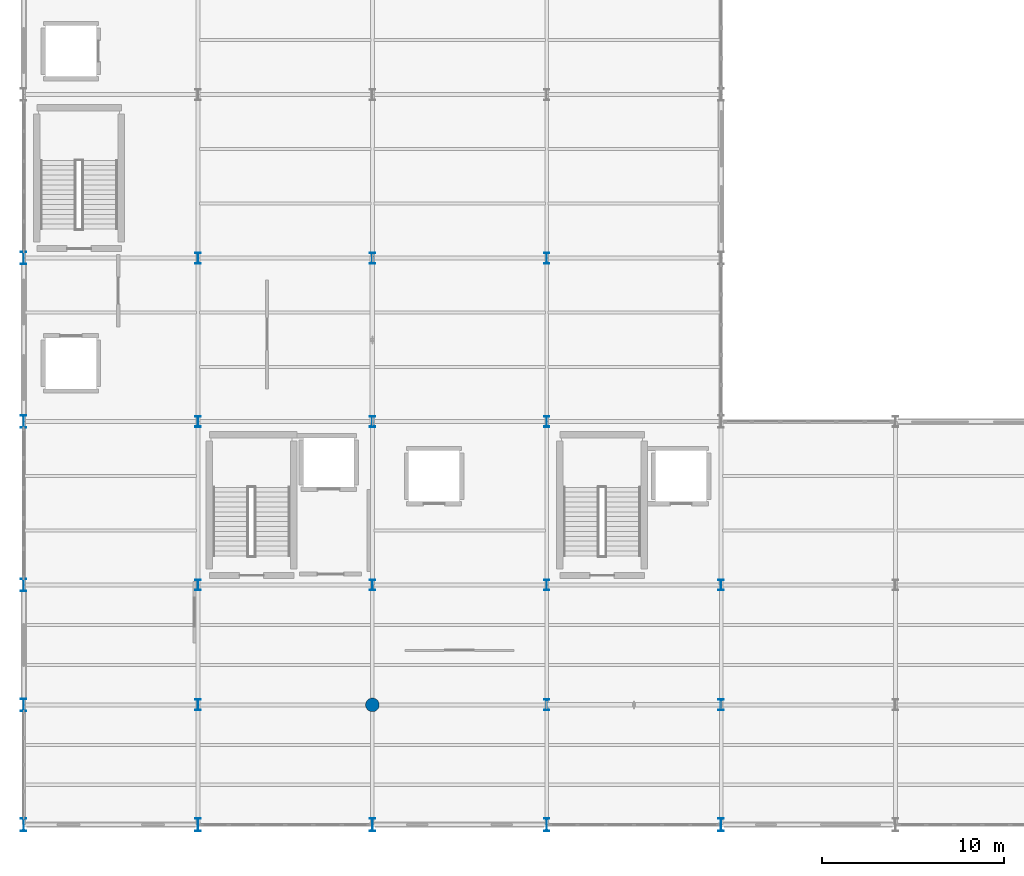
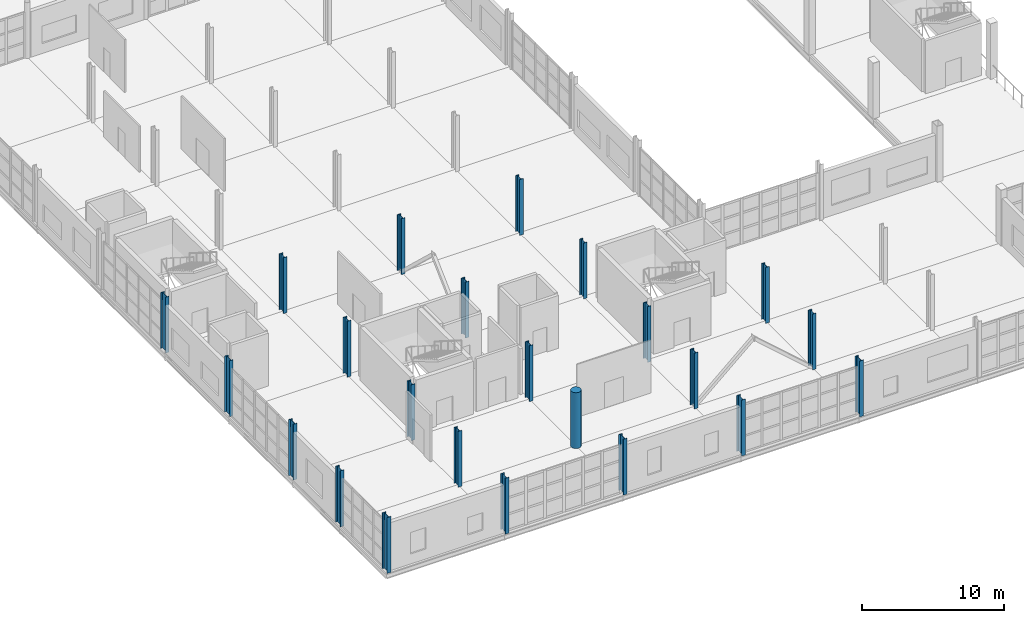
# One storey, part 1 of 120: 23 columns.
"""IFC4 building model written with IfcOpenShell, lengths in metres."""

from ifc_helpers import new_model, si_unit, direction, frame, origin, origin_2d, place, context, subcontext, project, spatial, circle, i_section, extrude, material, material_profile, profile_set, type_object, element, save


model = new_model("IFC4")

# Units and contexts
model_context = context("Model", 3, precision=1e-05, world=origin(), true_north=direction((0.0, 1.0)))
body_context = subcontext(model_context, "Body", "Model", "MODEL_VIEW")
ifc_project = project(units=[si_unit("LENGTHUNIT", "METRE"), si_unit("AREAUNIT", "SQUARE_METRE"), si_unit("VOLUMEUNIT", "CUBIC_METRE"), si_unit("PLANEANGLEUNIT", "RADIAN"), si_unit("MASSUNIT", "GRAM", prefix="KILO")], contexts=[model_context])

# Site, building, storey
site_placement = place(None, origin())
site = spatial("IfcSite", under=ifc_project, at=site_placement, CompositionType="ELEMENT")
building_placement = place(site_placement, origin())
building = spatial("IfcBuilding", under=site, at=building_placement, Name="Zarnetskaya Central Station", CompositionType="ELEMENT")
storey_placement = place(building_placement, frame((0.0, 0.0, 5.39990234375)))
storey = spatial("IfcBuildingStorey", under=building, at=storey_placement, Name="L01", CompositionType="ELEMENT", Elevation=5.39990234375)

# Columns
ifc_material_1 = material(Name="Concrete C35/45", Category="concrete")
ifc_material_profile_1 = material_profile(ifc_material_1, circle(Radius=0.375, at=origin_2d()), Name="RC COL D750")
ifc_profile_set_1 = profile_set([ifc_material_profile_1], Name="Concrete C35/45")
column_type_1 = type_object("IfcColumnType", Name="COL-RC-CONC", PredefinedType="COLUMN", material=ifc_profile_set_1)
column_placement = place(storey_placement, frame((19.199951171875, 6.60009765625, 0.0), z_axis=(0.0, 0.0, 1.0), x_axis=(1.0, 0.0, 0.0)))
element("IfcColumn", 1, at=column_placement, inside=storey, type_object=column_type_1, Name="Column C2 L01", PredefinedType="COLUMN", context=body_context, shape_type="SweptSolid", body=[
    extrude(circle(Radius=0.375, at=origin_2d()), origin(), (0.0, 0.0, 1.0), 4.800048828125),
])
ifc_material_2 = material(Name="Steel S355", Category="steel")
ifc_material_profile_2 = material_profile(ifc_material_2, i_section(OverallWidth=0.300048828125, OverallDepth=0.699951171875, WebThickness=0.01708984375, FlangeThickness=0.031982421875, FilletRadius=0.027099609375, at=origin_2d()), Name="HEB 700")
ifc_profile_set_2 = profile_set([ifc_material_profile_2], Name="Steel S355")
column_type_2 = type_object("IfcColumnType", Name="COL-V5-LOW-E", PredefinedType="COLUMN", material=ifc_profile_set_2)
for number, where, z_axis, x_axis, name in (
    (2, (0.0, 0.0, 0.0), (0.0, 0.0, 1.0), (1.0, 0.0, 0.0), "Column A1 L01"),
    (3, (0.0, 6.60009765625, 0.0), (0.0, 0.0, 1.0), (1.0, 0.0, 0.0), "Column A2 L01"),
    (4, (0.0, 13.199951171875, 0.0), (0.0, 0.0, 1.0), (1.0, 0.0, 0.0), "Column A3 L01"),
    (5, (0.0, 22.199951171875, 0.0), (0.0, 0.0, 1.0), (1.0, 0.0, 0.0), "Column A4 L01"),
    (6, (0.0, 31.199951171875, 0.0), (0.0, 0.0, 1.0), (1.0, 0.0, 0.0), "Column A5 L01"),
    (7, (9.60009765625, 0.0, 0.0), (0.0, 0.0, 1.0), (1.0, 0.0, 0.0), "Column B1 L01"),
    (8, (19.199951171875, 0.0, 0.0), (0.0, 0.0, 1.0), (1.0, 0.0, 0.0), "Column C1 L01"),
    (9, (28.800048828125, 0.0, 0.0), (0.0, 0.0, 1.0), (1.0, 0.0, 0.0), "Column D1 L01"),
    (10, (38.39990234375, 0.0, 0.0), (0.0, 0.0, 1.0), (1.0, 0.0, 0.0), "Column E1 L01"),
):
    element("IfcColumn", number, at=place(storey_placement, frame(where, z_axis=z_axis, x_axis=x_axis)), inside=storey, type_object=column_type_2, Name=name, PredefinedType="COLUMN", context=body_context, shape_type="SweptSolid", body=[
        extrude(i_section(OverallWidth=0.300048828125, OverallDepth=0.699951171875, WebThickness=0.01708984375, FlangeThickness=0.031982421875, FilletRadius=0.027099609375, at=origin_2d()), origin(), (0.0, 0.0, 1.0), 4.800048828125),
    ])
ifc_material_profile_3 = material_profile(ifc_material_2, i_section(OverallWidth=0.300048828125, OverallDepth=0.60009765625, WebThickness=0.015380859375, FlangeThickness=0.030029296875, FilletRadius=0.027099609375, at=origin_2d()), Name="HEB 600")
ifc_profile_set_3 = profile_set([ifc_material_profile_3], Name="Steel S355")
column_type_3 = type_object("IfcColumnType", Name="COL-V5-LOW-I", PredefinedType="COLUMN", material=ifc_profile_set_3)
for number, where, z_axis, x_axis, name in (
    (11, (9.60009765625, 6.60009765625, 0.0), (0.0, 0.0, 1.0), (1.0, 0.0, 0.0), "Column B2 L01"),
    (12, (9.60009765625, 13.199951171875, 0.0), (0.0, 0.0, 1.0), (1.0, 0.0, 0.0), "Column B3 L01"),
    (13, (9.60009765625, 22.199951171875, 0.0), (0.0, 0.0, 1.0), (1.0, 0.0, 0.0), "Column B4 L01"),
    (14, (9.60009765625, 31.199951171875, 0.0), (0.0, 0.0, 1.0), (1.0, 0.0, 0.0), "Column B5 L01"),
    (15, (19.199951171875, 13.199951171875, 0.0), (0.0, 0.0, 1.0), (1.0, 0.0, 0.0), "Column C3 L01"),
    (16, (19.199951171875, 22.199951171875, 0.0), (0.0, 0.0, 1.0), (1.0, 0.0, 0.0), "Column C4 L01"),
    (17, (19.199951171875, 31.199951171875, 0.0), (0.0, 0.0, 1.0), (1.0, 0.0, 0.0), "Column C5 L01"),
    (18, (28.800048828125, 6.60009765625, 0.0), (0.0, 0.0, 1.0), (1.0, 0.0, 0.0), "Column D2 L01"),
    (19, (28.800048828125, 13.199951171875, 0.0), (0.0, 0.0, 1.0), (1.0, 0.0, 0.0), "Column D3 L01"),
    (20, (28.800048828125, 22.199951171875, 0.0), (0.0, 0.0, 1.0), (1.0, 0.0, 0.0), "Column D4 L01"),
    (21, (28.800048828125, 31.199951171875, 0.0), (0.0, 0.0, 1.0), (1.0, 0.0, 0.0), "Column D5 L01"),
    (22, (38.39990234375, 6.60009765625, 0.0), (0.0, 0.0, 1.0), (1.0, 0.0, 0.0), "Column E2 L01"),
    (23, (38.39990234375, 13.199951171875, 0.0), (0.0, 0.0, 1.0), (1.0, 0.0, 0.0), "Column E3 L01"),
):
    element("IfcColumn", number, at=place(storey_placement, frame(where, z_axis=z_axis, x_axis=x_axis)), inside=storey, type_object=column_type_3, Name=name, PredefinedType="COLUMN", context=body_context, shape_type="SweptSolid", body=[
        extrude(i_section(OverallWidth=0.300048828125, OverallDepth=0.60009765625, WebThickness=0.015380859375, FlangeThickness=0.030029296875, FilletRadius=0.027099609375, at=origin_2d()), origin(), (0.0, 0.0, 1.0), 4.800048828125),
    ])

save(model, "model.ifc")
